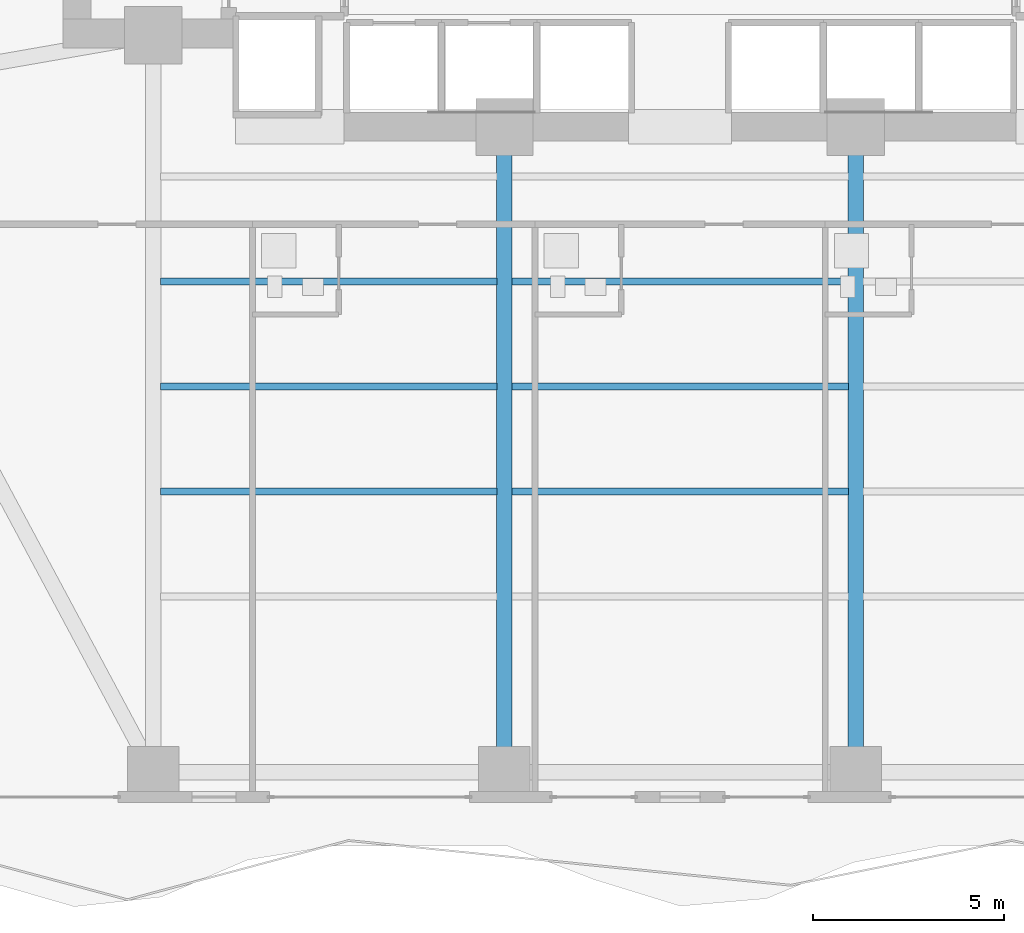
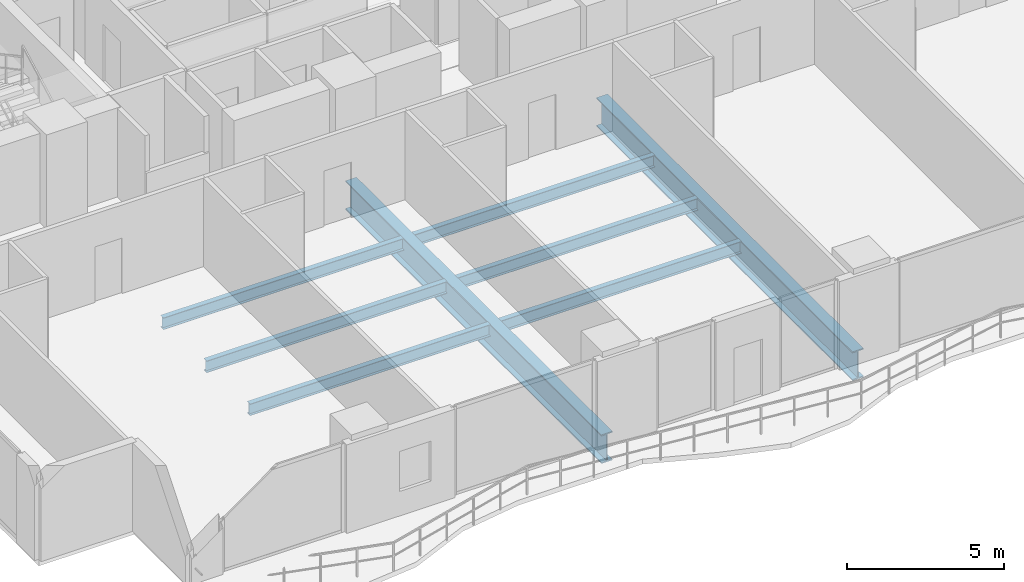
# One storey, part 6 of 29: 8 beams.
"""IFC4 building model written with IfcOpenShell, lengths in metres."""

from ifc_helpers import new_model, si_unit, direction, frame, origin, origin_2d, place, context, subcontext, project, spatial, i_section, extrude, material, material_profile, profile_set, type_object, element, save


model = new_model("IFC4")

# Units and contexts
model_context = context("Model", 3, precision=1e-05, world=origin(), true_north=direction((0.0, 1.0)))
body_context = subcontext(model_context, "Body", "Model", "MODEL_VIEW")
ifc_project = project(units=[si_unit("LENGTHUNIT", "METRE"), si_unit("AREAUNIT", "SQUARE_METRE"), si_unit("VOLUMEUNIT", "CUBIC_METRE"), si_unit("PLANEANGLEUNIT", "RADIAN"), si_unit("MASSUNIT", "GRAM", prefix="KILO")], contexts=[model_context])

# Site, building, storey
site_placement = place(None, origin())
site = spatial("IfcSite", under=ifc_project, at=site_placement, CompositionType="ELEMENT")
building_placement = place(site_placement, origin())
building = spatial("IfcBuilding", under=site, at=building_placement, Name="Zuhayl Quay Hotel", CompositionType="ELEMENT")
storey_placement = place(building_placement, frame((0.0, 0.0, 95.64990234375)))
storey = spatial("IfcBuildingStorey", under=building, at=storey_placement, Name="L23", CompositionType="ELEMENT", Elevation=95.64990234375)

# Beams
ifc_material_1 = material(Name="Steel ASTM A992 Grade 50", Category="steel")
ifc_material_profile_1 = material_profile(ifc_material_1, i_section(OverallWidth=0.18994140625, OverallDepth=0.45703125, WebThickness=0.009033203125, FlangeThickness=0.014404296875, at=origin_2d()), Name="W18X50")
ifc_profile_set_1 = profile_set([ifc_material_profile_1], Name="Steel ASTM A992 Grade 50")
beam_type_1 = type_object("IfcBeamType", Name="BM_J2_W18X50", PredefinedType="JOIST", material=ifc_profile_set_1)
for number, where, z_axis, x_axis, name in (
    (1, (-13.60595703125, -7.39990234375, -0.48828125), (1.0, 0.0, 0.0), (0.0, 1.0, 0.0), "L23 Floor Beam FJ_L23_6_1"),
    (2, (-4.406005859375, -7.39990234375, -0.48828125), (1.0, 0.0, 0.0), (0.0, 1.0, 0.0), "L23 Floor Beam FJ_L23_6_2"),
    (3, (-13.60595703125, -4.64990234375, -0.48828125), (1.0, 0.0, 0.0), (0.0, 1.0, 0.0), "L23 Floor Beam FJ_L23_7_1"),
    (4, (-4.406005859375, -4.64990234375, -0.48828125), (1.0, 0.0, 0.0), (0.0, 1.0, 0.0), "L23 Floor Beam FJ_L23_7_2"),
    (5, (-13.60595703125, -1.89990234375, -0.48828125), (1.0, 0.0, 0.0), (0.0, 1.0, 0.0), "L23 Floor Beam FJ_L23_8_1"),
    (6, (-4.406005859375, -1.89990234375, -0.48828125), (1.0, 0.0, 0.0), (0.0, 1.0, 0.0), "L23 Floor Beam FJ_L23_8_2"),
):
    element("IfcBeam", number, at=place(storey_placement, frame(where, z_axis=z_axis, x_axis=x_axis)), inside=storey, type_object=beam_type_1, Name=name, PredefinedType="JOIST", context=body_context, shape_type="SweptSolid", body=[
        extrude(i_section(OverallWidth=0.18994140625, OverallDepth=0.45703125, WebThickness=0.009033203125, FlangeThickness=0.014404296875, at=origin_2d()), origin(), (0.0, 0.0, 1.0), 8.81201171875),
    ])
ifc_material_2 = material(Name="Steel ASTM A913 Grade 65", Category="steel")
ifc_material_profile_2 = material_profile(ifc_material_2, i_section(OverallWidth=0.404052734375, OverallDepth=1.117919921875, WebThickness=0.026123046875, FlangeThickness=0.044921875, at=origin_2d()), Name="W44X335")
ifc_profile_set_2 = profile_set([ifc_material_profile_2], Name="Steel ASTM A913 Grade 65")
beam_type_2 = type_object("IfcBeamType", Name="BM_TG1_W44X335", PredefinedType="BEAM", material=ifc_profile_set_2)
for number, where, z_axis, x_axis, name in (
    (7, (-4.60009765625, -14.550048828125, -0.81884765625), (0.0, 1.0, 0.0), (-1.0, 0.0, 0.0), "L23 Floor Beam FG_S_L23_2"),
    (8, (4.60009765625, -14.550048828125, -0.81884765625), (0.0, 1.0, 0.0), (-1.0, 0.0, 0.0), "L23 Floor Beam FG_S_L23_3"),
):
    element("IfcBeam", number, at=place(storey_placement, frame(where, z_axis=z_axis, x_axis=x_axis)), inside=storey, type_object=beam_type_2, Name=name, PredefinedType="BEAM", context=body_context, shape_type="SweptSolid", body=[
        extrude(i_section(OverallWidth=0.404052734375, OverallDepth=1.117919921875, WebThickness=0.026123046875, FlangeThickness=0.044921875, at=origin_2d()), origin(), (0.0, 0.0, 1.0), 16.25),
    ])

save(model, "model.ifc")
